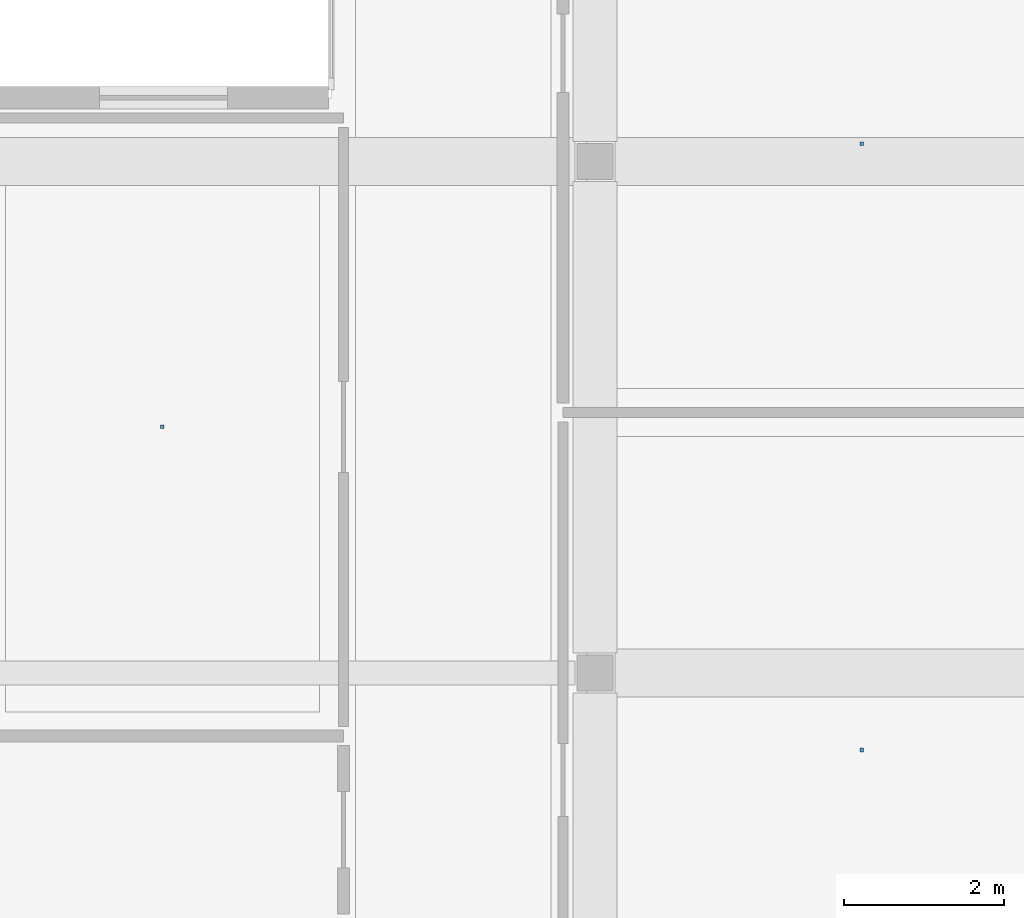
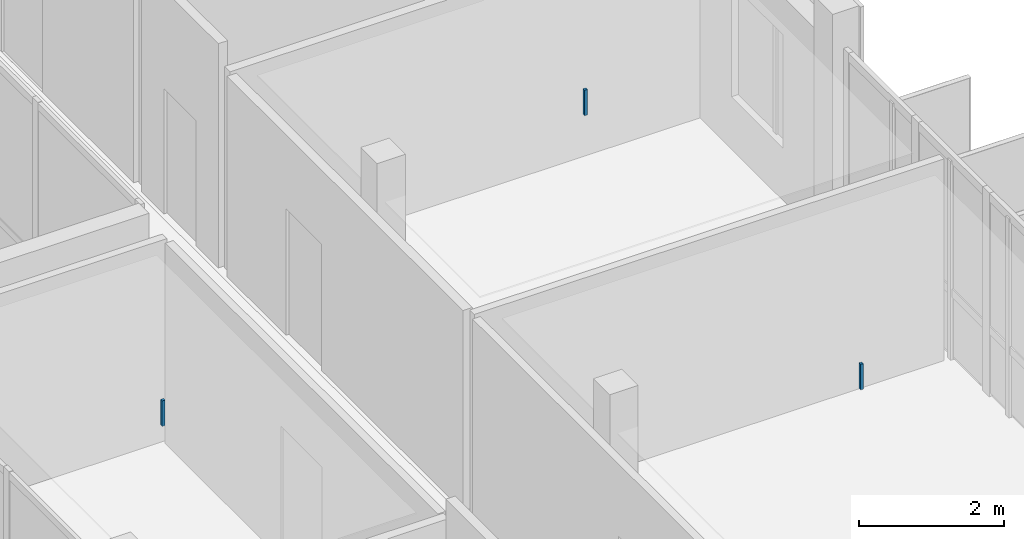
# One storey, part 71 of 86: 3 discrete accessories.
"""IFC4 building model written with IfcOpenShell, lengths in metres."""

from ifc_helpers import new_model, si_unit, derived_unit, direction, frame, origin, origin_2d, place, context, subcontext, project, spatial, rectangle, extrude, material, type_object, element, save


model = new_model("IFC4")

# Units and contexts
model_context = context("Model", 3, precision=1e-05, world=origin(), true_north=direction((0.0, 1.0)))
body_context = subcontext(model_context, "Body", "Model", "MODEL_VIEW")
ifc_project = project(units=[si_unit("LENGTHUNIT", "METRE"), si_unit("AREAUNIT", "SQUARE_METRE"), si_unit("VOLUMEUNIT", "CUBIC_METRE"), si_unit("PLANEANGLEUNIT", "RADIAN"), si_unit("MASSUNIT", "GRAM", prefix="KILO"), derived_unit("THERMALTRANSMITTANCEUNIT", [(si_unit("POWERUNIT", "WATT"), 1), (si_unit("LENGTHUNIT", "METRE"), -2), (si_unit("THERMODYNAMICTEMPERATUREUNIT", "KELVIN"), -1)])], contexts=[model_context])

# Site, building, storey
site_placement = place(None, origin())
site = spatial("IfcSite", under=ifc_project, at=site_placement, CompositionType="ELEMENT")
building_placement = place(site_placement, origin())
building = spatial("IfcBuilding", under=site, at=building_placement, Name="Braskholm Square Health Centre", CompositionType="ELEMENT")
storey_placement = place(building_placement, frame((0.0, 0.0, 13.5)))
storey = spatial("IfcBuildingStorey", under=building, at=storey_placement, Name="L04", CompositionType="ELEMENT", Elevation=13.5)

# Discrete accessories
ifc_material = material(Name="Steel ASTM A500 Grade C", Category="steel")
discrete_accessory_type = type_object("IfcDiscreteAccessoryType", Name="CeilingSuspensionBracket", PredefinedType="BRACKET", material=ifc_material)
for number, where, z_axis, x_axis, name in (
    (1, (159.93994140625, 22.43505859375, 3.35205078125), (0.0, 0.0, 1.0), (1.0, 0.0, 0.0), "Ceiling hanger bracket 0172"),
    (2, (159.93994140625, 30.02490234375, 3.35205078125), (0.0, 0.0, 1.0), (1.0, 0.0, 0.0), "Ceiling hanger bracket 0173"),
    (3, (151.18505859375, 26.47998046875, 3.35205078125), (0.0, 0.0, 1.0), (1.0, 0.0, 0.0), "Ceiling hanger bracket 0184"),
):
    element("IfcDiscreteAccessory", number, at=place(storey_placement, frame(where, z_axis=z_axis, x_axis=x_axis)), inside=storey, type_object=discrete_accessory_type, Name=name, PredefinedType="BRACKET", context=body_context, shape_type="SweptSolid", body=[
        extrude(rectangle(XDim=0.044921875, YDim=0.044921875, at=origin_2d()), origin(), (0.0, 0.0, 1.0), 0.429931640625),
    ])

save(model, "model.ifc")
